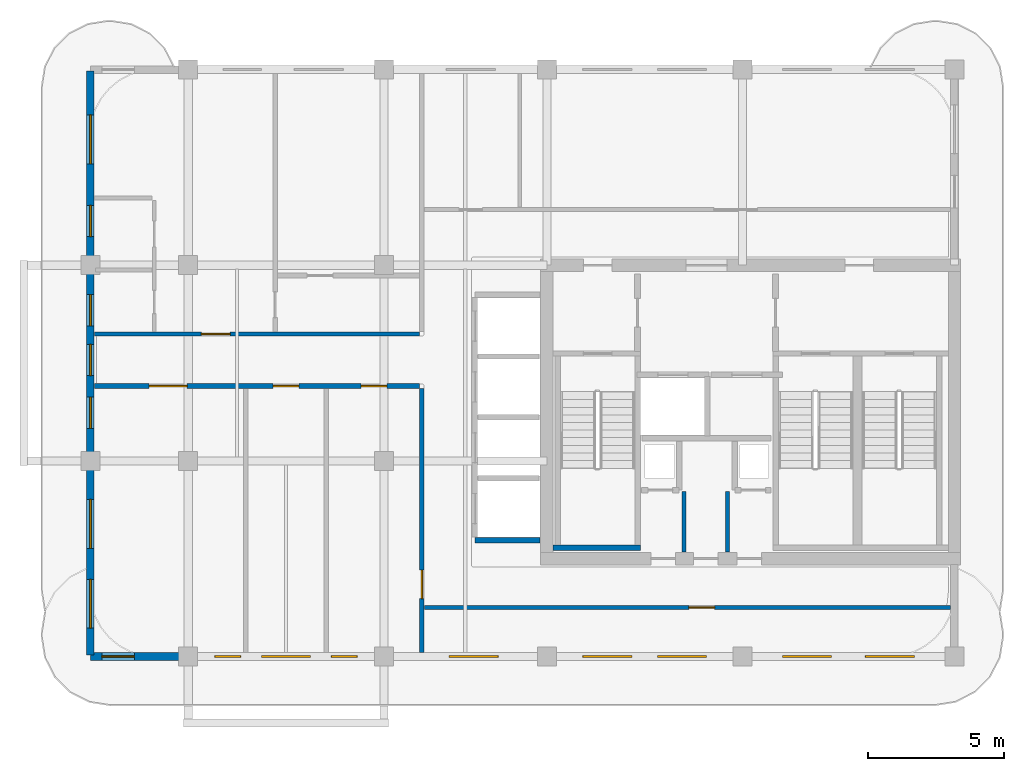
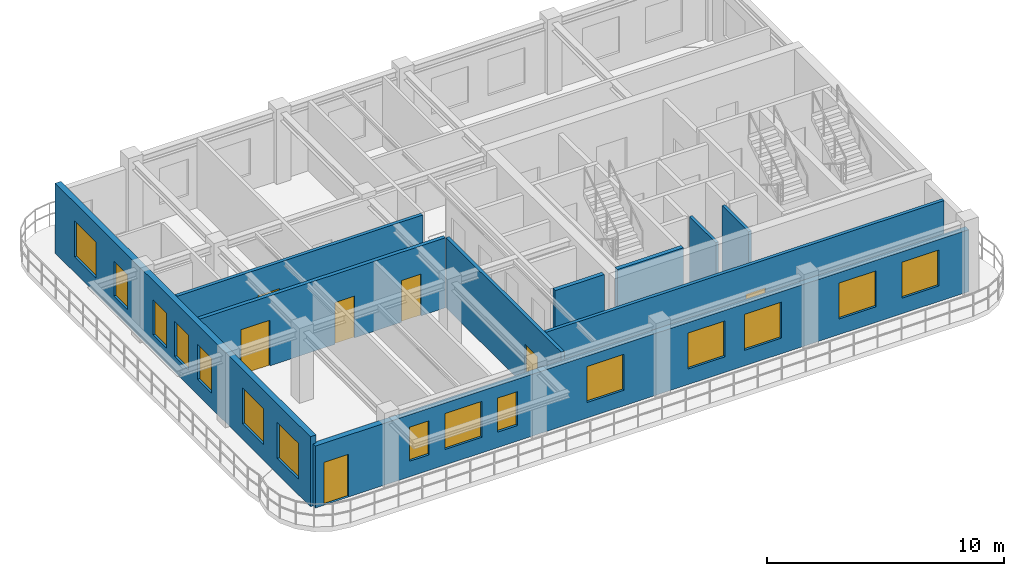
# One storey, part 2 of 7: 15 windows, 10 walls, 7 doors, 22 openings.
"""IFC4 building model written with IfcOpenShell, lengths in metres."""

from ifc_helpers import new_model, si_unit, derived_unit, direction, frame, frame_2d, origin, place, context, subcontext, project, spatial, rectangle, extrude, source, transform, mapped, material, layer, layer_set, type_object, type_shapes, element, fill, save


model = new_model("IFC4")

# Units and contexts
model_context = context("Model", 3, precision=1e-05, world=origin(), true_north=direction((0.0, 1.0)))
body_context = subcontext(model_context, "Body", "Model", "MODEL_VIEW")
ifc_project = project(units=[si_unit("LENGTHUNIT", "METRE"), si_unit("AREAUNIT", "SQUARE_METRE"), si_unit("VOLUMEUNIT", "CUBIC_METRE"), si_unit("PLANEANGLEUNIT", "RADIAN"), si_unit("MASSUNIT", "GRAM", prefix="KILO"), si_unit("THERMODYNAMICTEMPERATUREUNIT", "KELVIN"), si_unit("POWERUNIT", "WATT"), derived_unit("THERMALTRANSMITTANCEUNIT", [(si_unit("POWERUNIT", "WATT"), 1), (si_unit("AREAUNIT", "SQUARE_METRE"), -1), (si_unit("THERMODYNAMICTEMPERATUREUNIT", "KELVIN"), -1)])], contexts=[model_context])

# Site, building, storey
site_placement = place(None, origin())
site = spatial("IfcSite", under=ifc_project, at=site_placement, CompositionType="ELEMENT")
building_placement = place(site_placement, origin())
building = spatial("IfcBuilding", under=site, at=building_placement, Name="Zahravan Archway Hotel and Residences", CompositionType="ELEMENT")
storey_placement = place(building_placement, frame((0.0, 0.0, 282.75)))
storey = spatial("IfcBuildingStorey", under=building, at=storey_placement, Name="L71", CompositionType="ELEMENT", Elevation=282.75)

# Wall, openings, door, windows
ifc_material_1 = material(Name="Honed Red-Ochre Sandstone & Insulated Block", Category="masonry")
ifc_layer_1 = layer(ifc_material_1, 0.280029296875, Name="Honed Red-Ochre Sandstone & Insulated Block", Category="masonry")
ifc_layer_set_1 = layer_set([ifc_layer_1], Name="Honed Red-Ochre Sandstone & Insulated Block")
wall_type_1 = type_object("IfcWallType", Name="EW-LOG-280", PredefinedType="SOLIDWALL", material=ifc_layer_set_1)
wall_1_placement = place(storey_placement, frame((18.0, 0.0, 0.0), z_axis=(0.0, 0.0, 1.0), x_axis=(1.0, 0.0, 0.0)))
wall_1 = element("IfcWall", 1, at=wall_1_placement, inside=storey, type_object=wall_type_1, Name="L71 Exterior Sandstone Wall WA-S", PredefinedType="SOLIDWALL", context=body_context, shape_type="SweptSolid", body=[
    extrude(rectangle(XDim=31.800048828125, YDim=0.280029296875, at=frame_2d((15.89990234375, 0.0))), origin(), (0.0, 0.0, 1.0), 3.18505859375),
])
opening_1_placement = place(wall_1_placement, frame((0.419921875, 0.0, 0.0)))
opening_1 = element("IfcOpeningElement", 2, at=opening_1_placement, cuts=wall_1, Name="Opening ED-BL1", PredefinedType="OPENING", context=body_context, shape_type="SweptSolid", body=[
    extrude(rectangle(XDim=1.199951171875, YDim=2.199951171875, at=frame_2d((0.60009765625, 1.10009765625))), frame((0.0, 0.14990234375, 0.0), z_axis=(0.0, -1.0, 0.0), x_axis=(1.0, 0.0, 0.0)), (0.0, 0.0, 1.0), 0.300048828125),
])
opening_2_placement = place(wall_1_placement, frame((4.5810546875, 0.0, 0.800048828125)))
opening_2 = element("IfcOpeningElement", 3, at=opening_2_placement, cuts=wall_1, Name="Opening W-04", PredefinedType="OPENING", context=body_context, shape_type="SweptSolid", body=[
    extrude(rectangle(XDim=0.949951171875, YDim=1.75, at=frame_2d((0.47509765625, 0.875))), frame((0.0, 0.14990234375, 0.0), z_axis=(0.0, -1.0, 0.0), x_axis=(1.0, 0.0, 0.0)), (0.0, 0.0, 1.0), 0.300048828125),
])
opening_3_placement = place(wall_1_placement, frame((6.300048828125, 0.0, 0.800048828125)))
opening_3 = element("IfcOpeningElement", 4, at=opening_3_placement, cuts=wall_1, Name="Opening W-02", PredefinedType="OPENING", context=body_context, shape_type="SweptSolid", body=[
    extrude(rectangle(XDim=1.800048828125, YDim=1.85009765625, at=frame_2d((0.89990234375, 0.925048828125))), frame((0.0, 0.14990234375, 0.0), z_axis=(0.0, -1.0, 0.0), x_axis=(1.0, 0.0, 0.0)), (0.0, 0.0, 1.0), 0.300048828125),
])
opening_4_placement = place(wall_1_placement, frame((8.868896484375, 0.0, 0.800048828125)))
opening_4 = element("IfcOpeningElement", 5, at=opening_4_placement, cuts=wall_1, Name="Opening W-04", PredefinedType="OPENING", context=body_context, shape_type="SweptSolid", body=[
    extrude(rectangle(XDim=0.949951171875, YDim=1.75, at=frame_2d((0.47509765625, 0.875))), frame((0.0, 0.14990234375, 0.0), z_axis=(0.0, -1.0, 0.0), x_axis=(1.0, 0.0, 0.0)), (0.0, 0.0, 1.0), 0.300048828125),
])
opening_5_placement = place(wall_1_placement, frame((13.2041015625, 0.0, 0.800048828125)))
opening_5 = element("IfcOpeningElement", 6, at=opening_5_placement, cuts=wall_1, Name="Opening W-02", PredefinedType="OPENING", context=body_context, shape_type="SweptSolid", body=[
    extrude(rectangle(XDim=1.800048828125, YDim=1.85009765625, at=frame_2d((0.89990234375, 0.925048828125))), frame((0.0, 0.14990234375, 0.0), z_axis=(0.0, -1.0, 0.0), x_axis=(1.0, 0.0, 0.0)), (0.0, 0.0, 1.0), 0.300048828125),
])
opening_6_placement = place(wall_1_placement, frame((18.125, 0.0, 0.800048828125)))
opening_6 = element("IfcOpeningElement", 7, at=opening_6_placement, cuts=wall_1, Name="Opening W-02", PredefinedType="OPENING", context=body_context, shape_type="SweptSolid", body=[
    extrude(rectangle(XDim=1.800048828125, YDim=1.85009765625, at=frame_2d((0.89990234375, 0.925048828125))), frame((0.0, 0.14990234375, 0.0), z_axis=(0.0, -1.0, 0.0), x_axis=(1.0, 0.0, 0.0)), (0.0, 0.0, 1.0), 0.300048828125),
])
opening_7_placement = place(wall_1_placement, frame((20.875, 0.0, 0.800048828125)))
opening_7 = element("IfcOpeningElement", 8, at=opening_7_placement, cuts=wall_1, Name="Opening W-02", PredefinedType="OPENING", context=body_context, shape_type="SweptSolid", body=[
    extrude(rectangle(XDim=1.800048828125, YDim=1.85009765625, at=frame_2d((0.89990234375, 0.925048828125))), frame((0.0, 0.14990234375, 0.0), z_axis=(0.0, -1.0, 0.0), x_axis=(1.0, 0.0, 0.0)), (0.0, 0.0, 1.0), 0.300048828125),
])
opening_8_placement = place(wall_1_placement, frame((25.47509765625, 0.0, 0.800048828125)))
opening_8 = element("IfcOpeningElement", 9, at=opening_8_placement, cuts=wall_1, Name="Opening W-02", PredefinedType="OPENING", context=body_context, shape_type="SweptSolid", body=[
    extrude(rectangle(XDim=1.800048828125, YDim=1.85009765625, at=frame_2d((0.89990234375, 0.925048828125))), frame((0.0, 0.14990234375, 0.0), z_axis=(0.0, -1.0, 0.0), x_axis=(1.0, 0.0, 0.0)), (0.0, 0.0, 1.0), 0.300048828125),
])
opening_9_placement = place(wall_1_placement, frame((28.52490234375, 0.0, 0.800048828125)))
opening_9 = element("IfcOpeningElement", 10, at=opening_9_placement, cuts=wall_1, Name="Opening W-02", PredefinedType="OPENING", context=body_context, shape_type="SweptSolid", body=[
    extrude(rectangle(XDim=1.800048828125, YDim=1.85009765625, at=frame_2d((0.89990234375, 0.925048828125))), frame((0.0, 0.14990234375, 0.0), z_axis=(0.0, -1.0, 0.0), x_axis=(1.0, 0.0, 0.0)), (0.0, 0.0, 1.0), 0.300048828125),
])
ifc_material_2 = material(Name="Bronze-Anodized Glazed Aluminium", Category="aluminium")
door_type_1 = type_object("IfcDoorType", Name="ED-BALC-1200", OperationType="SLIDING_TO_LEFT", PredefinedType="DOOR", material=ifc_material_2)
shared_shape_1 = source(origin(), body_context, "Body", "SweptSolid", [
    extrude(rectangle(XDim=1.199951171875, YDim=2.199951171875, at=frame_2d((0.60009765625, 1.10009765625))), frame((0.0, 0.02490234375, 0.0), z_axis=(0.0, -1.0, 0.0), x_axis=(1.0, 0.0, 0.0)), (0.0, 0.0, 1.0), 0.050048828125),
])
type_shapes(door_type_1, [shared_shape_1])
door_1_placement = place(opening_1_placement, origin())
door_1 = element("IfcDoor", 11, at=door_1_placement, inside=storey, type_object=door_type_1, Name="L71 Outdoor Access Sliding Door (SLB-BAL-L71-SA)", OperationType="SLIDING_TO_LEFT", OverallHeight=2.199951171875, OverallWidth=1.199951171875, PredefinedType="DOOR", context=body_context, shape_type="MappedRepresentation", body=[
    mapped(shared_shape_1, transform((0.0, 0.0, 0.0), scale=1.0)),
])
fill(opening_1, door_1)
ifc_material_3 = material(Name="Bronze-Anodized Thermal-Break Aluminium & Low-E Glass", Category="aluminium")
window_type_1 = type_object("IfcWindowType", Name="WIN-NAR-950", PartitioningType="SINGLE_PANEL", PredefinedType="WINDOW", material=ifc_material_3)
shared_shape_2 = source(origin(), body_context, "Body", "SweptSolid", [
    extrude(rectangle(XDim=0.949951171875, YDim=1.75, at=frame_2d((0.47509765625, 0.875))), frame((0.0, 0.030029296875, 0.0), z_axis=(0.0, -1.0, 0.0), x_axis=(1.0, 0.0, 0.0)), (0.0, 0.0, 1.0), 0.06005859375),
])
type_shapes(window_type_1, [shared_shape_2])
window_1_placement = place(opening_2_placement, origin())
window_1 = element("IfcWindow", 12, at=window_1_placement, inside=storey, type_object=window_type_1, Name="L71 Loggia Window 01", OverallHeight=1.75, OverallWidth=0.949951171875, PartitioningType="SINGLE_PANEL", PredefinedType="WINDOW", context=body_context, shape_type="MappedRepresentation", body=[
    mapped(shared_shape_2, transform((0.0, 0.0, 0.0), scale=1.0)),
])
fill(opening_2, window_1)
window_2_placement = place(opening_4_placement, origin())
window_2 = element("IfcWindow", 13, at=window_2_placement, inside=storey, type_object=window_type_1, Name="L71 Loggia Window 03", OverallHeight=1.75, OverallWidth=0.949951171875, PartitioningType="SINGLE_PANEL", PredefinedType="WINDOW", context=body_context, shape_type="MappedRepresentation", body=[
    mapped(shared_shape_2, transform((0.0, 0.0, 0.0), scale=1.0)),
])
fill(opening_4, window_2)
window_type_2 = type_object("IfcWindowType", Name="WIN-TWR-1800", PartitioningType="DOUBLE_PANEL_VERTICAL", PredefinedType="WINDOW", material=ifc_material_3)
shared_shape_3 = source(origin(), body_context, "Body", "SweptSolid", [
    extrude(rectangle(XDim=1.800048828125, YDim=1.85009765625, at=frame_2d((0.89990234375, 0.925048828125))), frame((0.0, 0.030029296875, 0.0), z_axis=(0.0, -1.0, 0.0), x_axis=(1.0, 0.0, 0.0)), (0.0, 0.0, 1.0), 0.06005859375),
])
type_shapes(window_type_2, [shared_shape_3])
window_3_placement = place(opening_3_placement, origin())
window_3 = element("IfcWindow", 14, at=window_3_placement, inside=storey, type_object=window_type_2, Name="L71 Loggia Window 02", OverallHeight=1.85009765625, OverallWidth=1.800048828125, PartitioningType="DOUBLE_PANEL_VERTICAL", PredefinedType="WINDOW", context=body_context, shape_type="MappedRepresentation", body=[
    mapped(shared_shape_3, transform((0.0, 0.0, 0.0), scale=1.0)),
])
fill(opening_3, window_3)
window_4_placement = place(opening_5_placement, origin())
window_4 = element("IfcWindow", 15, at=window_4_placement, inside=storey, type_object=window_type_2, Name="L71 Loggia Window 04", OverallHeight=1.85009765625, OverallWidth=1.800048828125, PartitioningType="DOUBLE_PANEL_VERTICAL", PredefinedType="WINDOW", context=body_context, shape_type="MappedRepresentation", body=[
    mapped(shared_shape_3, transform((0.0, 0.0, 0.0), scale=1.0)),
])
fill(opening_5, window_4)
window_5_placement = place(opening_6_placement, origin())
window_5 = element("IfcWindow", 16, at=window_5_placement, inside=storey, type_object=window_type_2, Name="L71 Loggia Window 05", OverallHeight=1.85009765625, OverallWidth=1.800048828125, PartitioningType="DOUBLE_PANEL_VERTICAL", PredefinedType="WINDOW", context=body_context, shape_type="MappedRepresentation", body=[
    mapped(shared_shape_3, transform((0.0, 0.0, 0.0), scale=1.0)),
])
fill(opening_6, window_5)
window_6_placement = place(opening_7_placement, origin())
window_6 = element("IfcWindow", 17, at=window_6_placement, inside=storey, type_object=window_type_2, Name="L71 Loggia Window 06", OverallHeight=1.85009765625, OverallWidth=1.800048828125, PartitioningType="DOUBLE_PANEL_VERTICAL", PredefinedType="WINDOW", context=body_context, shape_type="MappedRepresentation", body=[
    mapped(shared_shape_3, transform((0.0, 0.0, 0.0), scale=1.0)),
])
fill(opening_7, window_6)
window_7_placement = place(opening_8_placement, origin())
window_7 = element("IfcWindow", 18, at=window_7_placement, inside=storey, type_object=window_type_2, Name="L71 Loggia Window 07", OverallHeight=1.85009765625, OverallWidth=1.800048828125, PartitioningType="DOUBLE_PANEL_VERTICAL", PredefinedType="WINDOW", context=body_context, shape_type="MappedRepresentation", body=[
    mapped(shared_shape_3, transform((0.0, 0.0, 0.0), scale=1.0)),
])
fill(opening_8, window_7)
window_8_placement = place(opening_9_placement, origin())
window_8 = element("IfcWindow", 19, at=window_8_placement, inside=storey, type_object=window_type_2, Name="L71 Loggia Window 08", OverallHeight=1.85009765625, OverallWidth=1.800048828125, PartitioningType="DOUBLE_PANEL_VERTICAL", PredefinedType="WINDOW", context=body_context, shape_type="MappedRepresentation", body=[
    mapped(shared_shape_3, transform((0.0, 0.0, 0.0), scale=1.0)),
])
fill(opening_9, window_8)

# Wall, openings, windows
wall_2_placement = place(storey_placement, frame((18.0, 0.050048828125, 0.0), z_axis=(0.0, 0.0, 1.0), x_axis=(0.0, 1.0, 0.0)))
wall_2 = element("IfcWall", 20, at=wall_2_placement, inside=storey, type_object=wall_type_1, Name="L71 Exterior Sandstone Wall WA-W", PredefinedType="SOLIDWALL", context=body_context, shape_type="SweptSolid", body=[
    extrude(rectangle(XDim=21.5, YDim=0.280029296875, at=frame_2d((10.75, 0.0))), origin(), (0.0, 0.0, 1.0), 3.60009765625),
])
opening_10_placement = place(wall_2_placement, frame((0.989990234375, 0.0, 0.800048828125)))
opening_10 = element("IfcOpeningElement", 21, at=opening_10_placement, cuts=wall_2, Name="Opening W-02", PredefinedType="OPENING", context=body_context, shape_type="SweptSolid", body=[
    extrude(rectangle(XDim=1.800048828125, YDim=1.85009765625, at=frame_2d((0.89990234375, 0.925048828125))), frame((0.0, 0.14990234375, 0.0), z_axis=(0.0, -1.0, 0.0), x_axis=(1.0, 0.0, 0.0)), (0.0, 0.0, 1.0), 0.300048828125),
])
opening_11_placement = place(wall_2_placement, frame((3.929931640625, 0.0, 0.800048828125)))
opening_11 = element("IfcOpeningElement", 22, at=opening_11_placement, cuts=wall_2, Name="Opening W-02", PredefinedType="OPENING", context=body_context, shape_type="SweptSolid", body=[
    extrude(rectangle(XDim=1.800048828125, YDim=1.85009765625, at=frame_2d((0.89990234375, 0.925048828125))), frame((0.0, 0.14990234375, 0.0), z_axis=(0.0, -1.0, 0.0), x_axis=(1.0, 0.0, 0.0)), (0.0, 0.0, 1.0), 0.300048828125),
])
opening_12_placement = place(wall_2_placement, frame((8.345947265625, 0.0, 0.800048828125)))
opening_12 = element("IfcOpeningElement", 23, at=opening_12_placement, cuts=wall_2, Name="Opening W-05", PredefinedType="OPENING", context=body_context, shape_type="SweptSolid", body=[
    extrude(rectangle(XDim=1.14990234375, YDim=1.800048828125, at=frame_2d((0.574951171875, 0.89990234375))), frame((0.0, 0.14990234375, 0.0), z_axis=(0.0, -1.0, 0.0), x_axis=(1.0, 0.0, 0.0)), (0.0, 0.0, 1.0), 0.300048828125),
])
opening_13_placement = place(wall_2_placement, frame((10.284912109375, 0.0, 0.800048828125)))
opening_13 = element("IfcOpeningElement", 24, at=opening_13_placement, cuts=wall_2, Name="Opening W-05", PredefinedType="OPENING", context=body_context, shape_type="SweptSolid", body=[
    extrude(rectangle(XDim=1.14990234375, YDim=1.800048828125, at=frame_2d((0.574951171875, 0.89990234375))), frame((0.0, 0.14990234375, 0.0), z_axis=(0.0, -1.0, 0.0), x_axis=(1.0, 0.0, 0.0)), (0.0, 0.0, 1.0), 0.300048828125),
])
opening_14_placement = place(wall_2_placement, frame((12.114013671875, 0.0, 0.800048828125)))
opening_14 = element("IfcOpeningElement", 25, at=opening_14_placement, cuts=wall_2, Name="Opening W-05", PredefinedType="OPENING", context=body_context, shape_type="SweptSolid", body=[
    extrude(rectangle(XDim=1.14990234375, YDim=1.800048828125, at=frame_2d((0.574951171875, 0.89990234375))), frame((0.0, 0.14990234375, 0.0), z_axis=(0.0, -1.0, 0.0), x_axis=(1.0, 0.0, 0.0)), (0.0, 0.0, 1.0), 0.300048828125),
])
opening_15_placement = place(wall_2_placement, frame((15.406005859375, 0.0, 0.800048828125)))
opening_15 = element("IfcOpeningElement", 26, at=opening_15_placement, cuts=wall_2, Name="Opening W-05", PredefinedType="OPENING", context=body_context, shape_type="SweptSolid", body=[
    extrude(rectangle(XDim=1.14990234375, YDim=1.800048828125, at=frame_2d((0.574951171875, 0.89990234375))), frame((0.0, 0.14990234375, 0.0), z_axis=(0.0, -1.0, 0.0), x_axis=(1.0, 0.0, 0.0)), (0.0, 0.0, 1.0), 0.300048828125),
])
opening_16_placement = place(wall_2_placement, frame((18.0791015625, 0.0, 0.800048828125)))
opening_16 = element("IfcOpeningElement", 27, at=opening_16_placement, cuts=wall_2, Name="Opening W-02", PredefinedType="OPENING", context=body_context, shape_type="SweptSolid", body=[
    extrude(rectangle(XDim=1.800048828125, YDim=1.85009765625, at=frame_2d((0.89990234375, 0.925048828125))), frame((0.0, 0.14990234375, 0.0), z_axis=(0.0, -1.0, 0.0), x_axis=(1.0, 0.0, 0.0)), (0.0, 0.0, 1.0), 0.300048828125),
])
window_9_placement = place(opening_10_placement, origin())
window_9 = element("IfcWindow", 28, at=window_9_placement, inside=storey, type_object=window_type_2, Name="L71 Loggia Window 17", OverallHeight=1.85009765625, OverallWidth=1.800048828125, PartitioningType="DOUBLE_PANEL_VERTICAL", PredefinedType="WINDOW", context=body_context, shape_type="MappedRepresentation", body=[
    mapped(shared_shape_3, transform((0.0, 0.0, 0.0), scale=1.0)),
])
fill(opening_10, window_9)
window_10_placement = place(opening_11_placement, origin())
window_10 = element("IfcWindow", 29, at=window_10_placement, inside=storey, type_object=window_type_2, Name="L71 Loggia Window 18", OverallHeight=1.85009765625, OverallWidth=1.800048828125, PartitioningType="DOUBLE_PANEL_VERTICAL", PredefinedType="WINDOW", context=body_context, shape_type="MappedRepresentation", body=[
    mapped(shared_shape_3, transform((0.0, 0.0, 0.0), scale=1.0)),
])
fill(opening_11, window_10)
window_11_placement = place(opening_16_placement, origin())
window_11 = element("IfcWindow", 30, at=window_11_placement, inside=storey, type_object=window_type_2, Name="L71 Loggia Window 23", OverallHeight=1.85009765625, OverallWidth=1.800048828125, PartitioningType="DOUBLE_PANEL_VERTICAL", PredefinedType="WINDOW", context=body_context, shape_type="MappedRepresentation", body=[
    mapped(shared_shape_3, transform((0.0, 0.0, 0.0), scale=1.0)),
])
fill(opening_16, window_11)
window_type_3 = type_object("IfcWindowType", Name="WIN-TWR-1150", PartitioningType="SINGLE_PANEL", PredefinedType="WINDOW", material=ifc_material_3)
shared_shape_4 = source(origin(), body_context, "Body", "SweptSolid", [
    extrude(rectangle(XDim=1.14990234375, YDim=1.800048828125, at=frame_2d((0.574951171875, 0.89990234375))), frame((0.0, 0.030029296875, 0.0), z_axis=(0.0, -1.0, 0.0), x_axis=(1.0, 0.0, 0.0)), (0.0, 0.0, 1.0), 0.06005859375),
])
type_shapes(window_type_3, [shared_shape_4])
window_12_placement = place(opening_12_placement, origin())
window_12 = element("IfcWindow", 31, at=window_12_placement, inside=storey, type_object=window_type_3, Name="L71 Loggia Window 19", OverallHeight=1.800048828125, OverallWidth=1.14990234375, PartitioningType="SINGLE_PANEL", PredefinedType="WINDOW", context=body_context, shape_type="MappedRepresentation", body=[
    mapped(shared_shape_4, transform((0.0, 0.0, 0.0), scale=1.0)),
])
fill(opening_12, window_12)
window_13_placement = place(opening_13_placement, origin())
window_13 = element("IfcWindow", 32, at=window_13_placement, inside=storey, type_object=window_type_3, Name="L71 Loggia Window 20", OverallHeight=1.800048828125, OverallWidth=1.14990234375, PartitioningType="SINGLE_PANEL", PredefinedType="WINDOW", context=body_context, shape_type="MappedRepresentation", body=[
    mapped(shared_shape_4, transform((0.0, 0.0, 0.0), scale=1.0)),
])
fill(opening_13, window_13)
window_14_placement = place(opening_14_placement, origin())
window_14 = element("IfcWindow", 33, at=window_14_placement, inside=storey, type_object=window_type_3, Name="L71 Loggia Window 21", OverallHeight=1.800048828125, OverallWidth=1.14990234375, PartitioningType="SINGLE_PANEL", PredefinedType="WINDOW", context=body_context, shape_type="MappedRepresentation", body=[
    mapped(shared_shape_4, transform((0.0, 0.0, 0.0), scale=1.0)),
])
fill(opening_14, window_14)
window_15_placement = place(opening_15_placement, origin())
window_15 = element("IfcWindow", 34, at=window_15_placement, inside=storey, type_object=window_type_3, Name="L71 Loggia Window 22", OverallHeight=1.800048828125, OverallWidth=1.14990234375, PartitioningType="SINGLE_PANEL", PredefinedType="WINDOW", context=body_context, shape_type="MappedRepresentation", body=[
    mapped(shared_shape_4, transform((0.0, 0.0, 0.0), scale=1.0)),
])
fill(opening_15, window_15)

# Wall, opening, door
ifc_material_4 = material(Name="Fire-Rated Gypsum & Concrete Block", Category="concrete")
ifc_layer_2 = layer(ifc_material_4, 0.159912109375, Name="Fire-Rated Gypsum & Concrete Block", Category="concrete")
ifc_layer_set_2 = layer_set([ifc_layer_2], Name="Fire-Rated Gypsum & Concrete Block")
wall_type_2 = type_object("IfcWallType", Name="PW-CORR-160", PredefinedType="PARTITIONING", material=ifc_layer_set_2)
wall_3_placement = place(storey_placement, frame((18.14794921875, 11.8701171875, 0.0), z_axis=(0.0, 0.0, 1.0), x_axis=(1.0, 0.0, 0.0)))
wall_3 = element("IfcWall", 35, at=wall_3_placement, inside=storey, type_object=wall_type_2, Name="L71 Partition WA-CN", PredefinedType="PARTITIONING", context=body_context, shape_type="SweptSolid", body=[
    extrude(rectangle(XDim=11.962158203125, YDim=0.159912109375, at=frame_2d((5.98095703125, 0.0))), origin(), (0.0, 0.0, 1.0), 3.60009765625),
])
opening_17_placement = place(wall_3_placement, frame((3.94189453125, 0.0, 0.0)))
opening_17 = element("IfcOpeningElement", 36, at=opening_17_placement, cuts=wall_3, Name="Opening D-U1", PredefinedType="OPENING", context=body_context, shape_type="SweptSolid", body=[
    extrude(rectangle(XDim=1.050048828125, YDim=2.25, at=frame_2d((0.52490234375, 1.125))), frame((0.0, 0.08984375, 0.0), z_axis=(0.0, -1.0, 0.0), x_axis=(1.0, 0.0, 0.0)), (0.0, 0.0, 1.0), 0.179931640625),
])
ifc_material_5 = material(Name="Hardwood Veneer Timber", Category="wood")
door_type_2 = type_object("IfcDoorType", Name="ID-UNIT-1050", OperationType="NOTDEFINED", PredefinedType="DOOR", material=ifc_material_5)
shared_shape_5 = source(origin(), body_context, "Body", "SweptSolid", [
    extrude(rectangle(XDim=1.050048828125, YDim=2.25, at=frame_2d((0.52490234375, 1.125))), frame((0.0, 0.02490234375, 0.0), z_axis=(0.0, -1.0, 0.0), x_axis=(1.0, 0.0, 0.0)), (0.0, 0.0, 1.0), 0.050048828125),
])
type_shapes(door_type_2, [shared_shape_5])
door_2_placement = place(opening_17_placement, origin())
door_2 = element("IfcDoor", 37, at=door_2_placement, inside=storey, type_object=door_type_2, Name="L71 Flat N1 Entrance Door", OperationType="SINGLE_SWING_LEFT", OverallHeight=2.25, OverallWidth=1.050048828125, PredefinedType="DOOR", context=body_context, shape_type="MappedRepresentation", body=[
    mapped(shared_shape_5, transform((0.0, 0.0, 0.0), scale=1.0)),
])
fill(opening_17, door_2)

wall_4_placement = place(storey_placement, frame((30.199951171875, 0.14794921875, 0.0), z_axis=(0.0, 0.0, 1.0), x_axis=(0.0, 1.0, 0.0)))
wall_4 = element("IfcWall", 38, at=wall_4_placement, inside=storey, type_object=wall_type_2, Name="L71 Partition WA-SRW", PredefinedType="PARTITIONING", context=body_context, shape_type="SweptSolid", body=[
    extrude(rectangle(XDim=9.712158203125, YDim=0.159912109375, at=frame_2d((4.85595703125, 0.0))), origin(), (0.0, 0.0, 1.0), 3.60009765625),
])
opening_18_placement = place(wall_4_placement, frame((1.97705078125, 0.0, 0.0)))
opening_18 = element("IfcOpeningElement", 39, at=opening_18_placement, cuts=wall_4, Name="Opening FD-L2", PredefinedType="OPENING", context=body_context, shape_type="SweptSolid", body=[
    extrude(rectangle(XDim=1.050048828125, YDim=2.14990234375, at=frame_2d((0.52490234375, 1.074951171875))), frame((0.0, 0.08984375, 0.0), z_axis=(0.0, -1.0, 0.0), x_axis=(1.0, 0.0, 0.0)), (0.0, 0.0, 1.0), 0.179931640625),
])
ifc_material_6 = material(Name="Fire-Rated Painted Steel", Category="steel")
door_type_3 = type_object("IfcDoorType", Name="FD-LOBBY-1100", OperationType="NOTDEFINED", PredefinedType="DOOR", material=ifc_material_6)
shared_shape_6 = source(origin(), body_context, "Body", "SweptSolid", [
    extrude(rectangle(XDim=1.050048828125, YDim=2.14990234375, at=frame_2d((0.52490234375, 1.074951171875))), frame((0.0, 0.02490234375, 0.0), z_axis=(0.0, -1.0, 0.0), x_axis=(1.0, 0.0, 0.0)), (0.0, 0.0, 1.0), 0.050048828125),
])
type_shapes(door_type_3, [shared_shape_6])
door_3_placement = place(opening_18_placement, origin())
door_3 = element("IfcDoor", 40, at=door_3_placement, inside=storey, type_object=door_type_3, Name="L71 South Riser Corridor Door", OperationType="SINGLE_SWING_RIGHT", OverallHeight=2.14990234375, OverallWidth=1.050048828125, PredefinedType="DOOR", context=body_context, shape_type="MappedRepresentation", body=[
    mapped(shared_shape_6, transform((0.0, 0.0, 0.0), scale=1.0)),
])
fill(opening_18, door_3)

wall_5_placement = place(storey_placement, frame((30.2900390625, 1.800048828125, 0.0), z_axis=(0.0, 0.0, 1.0), x_axis=(1.0, 0.0, 0.0)))
wall_5 = element("IfcWall", 41, at=wall_5_placement, inside=storey, type_object=wall_type_2, Name="L71 Partition WA-SRS", PredefinedType="PARTITIONING", context=body_context, shape_type="SweptSolid", body=[
    extrude(rectangle(XDim=19.369873046875, YDim=0.159912109375, at=frame_2d((9.68505859375, 0.0))), origin(), (0.0, 0.0, 1.0), 3.60009765625),
])
opening_19_placement = place(wall_5_placement, frame((9.735107421875, 0.0, 0.0)))
opening_19 = element("IfcOpeningElement", 42, at=opening_19_placement, cuts=wall_5, Name="Opening D-I1", PredefinedType="OPENING", context=body_context, shape_type="SweptSolid", body=[
    extrude(rectangle(XDim=0.949951171875, YDim=2.14990234375, at=frame_2d((0.47509765625, 1.074951171875))), frame((0.0, 0.08984375, 0.0), z_axis=(0.0, -1.0, 0.0), x_axis=(1.0, 0.0, 0.0)), (0.0, 0.0, 1.0), 0.179931640625),
])
door_type_4 = type_object("IfcDoorType", Name="ID-INT-950", OperationType="NOTDEFINED", PredefinedType="DOOR", material=ifc_material_5)
shared_shape_7 = source(origin(), body_context, "Body", "SweptSolid", [
    extrude(rectangle(XDim=0.949951171875, YDim=2.14990234375, at=frame_2d((0.47509765625, 1.074951171875))), frame((0.0, 0.02490234375, 0.0), z_axis=(0.0, -1.0, 0.0), x_axis=(1.0, 0.0, 0.0)), (0.0, 0.0, 1.0), 0.050048828125),
])
type_shapes(door_type_4, [shared_shape_7])
door_4_placement = place(opening_19_placement, origin())
door_4 = element("IfcDoor", 43, at=door_4_placement, inside=storey, type_object=door_type_4, Name="L71 South Viewing Lounge Door", OperationType="SINGLE_SWING_LEFT", OverallHeight=2.14990234375, OverallWidth=0.949951171875, PredefinedType="DOOR", context=body_context, shape_type="MappedRepresentation", body=[
    mapped(shared_shape_7, transform((0.0, 0.0, 0.0), scale=1.0)),
])
fill(opening_19, door_4)

# Wall, openings, doors
ifc_layer_3 = layer(ifc_material_4, 0.179931640625, Name="Fire-Rated Gypsum & Concrete Block", Category="concrete")
ifc_layer_set_3 = layer_set([ifc_layer_3], Name="Fire-Rated Gypsum & Concrete Block")
wall_type_3 = type_object("IfcWallType", Name="PW-CORR-180", PredefinedType="PARTITIONING", material=ifc_layer_set_3)
wall_6_placement = place(storey_placement, frame((18.14794921875, 9.949951171875, 0.0), z_axis=(0.0, 0.0, 1.0), x_axis=(1.0, 0.0, 0.0)))
wall_6 = element("IfcWall", 44, at=wall_6_placement, inside=storey, type_object=wall_type_3, Name="L71 Partition WA-CS", PredefinedType="PARTITIONING", context=body_context, shape_type="SweptSolid", body=[
    extrude(rectangle(XDim=11.962158203125, YDim=0.179931640625, at=frame_2d((5.98095703125, 0.0))), origin(), (0.0, 0.0, 1.0), 3.60009765625),
])
opening_20_placement = place(wall_6_placement, frame((2.011962890625, 0.0, 0.0)))
opening_20 = element("IfcOpeningElement", 45, at=opening_20_placement, cuts=wall_6, Name="Opening D-P1", PredefinedType="OPENING", context=body_context, shape_type="SweptSolid", body=[
    extrude(rectangle(XDim=1.39990234375, YDim=2.35009765625, at=frame_2d((0.699951171875, 1.175048828125))), frame((0.0, 0.10009765625, 0.0), z_axis=(0.0, -1.0, 0.0), x_axis=(1.0, 0.0, 0.0)), (0.0, 0.0, 1.0), 0.199951171875),
])
opening_21_placement = place(wall_6_placement, frame((6.576904296875, 0.0, 0.0)))
opening_21 = element("IfcOpeningElement", 46, at=opening_21_placement, cuts=wall_6, Name="Opening D-I1", PredefinedType="OPENING", context=body_context, shape_type="SweptSolid", body=[
    extrude(rectangle(XDim=0.949951171875, YDim=2.14990234375, at=frame_2d((0.47509765625, 1.074951171875))), frame((0.0, 0.10009765625, 0.0), z_axis=(0.0, -1.0, 0.0), x_axis=(1.0, 0.0, 0.0)), (0.0, 0.0, 1.0), 0.199951171875),
])
opening_22_placement = place(wall_6_placement, frame((9.81689453125, 0.0, 0.0)))
opening_22 = element("IfcOpeningElement", 47, at=opening_22_placement, cuts=wall_6, Name="Opening D-I1", PredefinedType="OPENING", context=body_context, shape_type="SweptSolid", body=[
    extrude(rectangle(XDim=0.949951171875, YDim=2.14990234375, at=frame_2d((0.47509765625, 1.074951171875))), frame((0.0, 0.10009765625, 0.0), z_axis=(0.0, -1.0, 0.0), x_axis=(1.0, 0.0, 0.0)), (0.0, 0.0, 1.0), 0.199951171875),
])
door_type_5 = type_object("IfcDoorType", Name="ID-PUBLIC-1400", OperationType="DOUBLE_DOOR_SINGLE_SWING", PredefinedType="DOOR", material=ifc_material_2)
shared_shape_8 = source(origin(), body_context, "Body", "SweptSolid", [
    extrude(rectangle(XDim=1.39990234375, YDim=2.35009765625, at=frame_2d((0.699951171875, 1.175048828125))), frame((0.0, 0.02490234375, 0.0), z_axis=(0.0, -1.0, 0.0), x_axis=(1.0, 0.0, 0.0)), (0.0, 0.0, 1.0), 0.050048828125),
])
type_shapes(door_type_5, [shared_shape_8])
door_5_placement = place(opening_20_placement, origin())
door_5 = element("IfcDoor", 48, at=door_5_placement, inside=storey, type_object=door_type_5, Name="L71 Cinema Salon Door", OperationType="DOUBLE_DOOR_SINGLE_SWING", OverallHeight=2.35009765625, OverallWidth=1.39990234375, PredefinedType="DOOR", context=body_context, shape_type="MappedRepresentation", body=[
    mapped(shared_shape_8, transform((0.0, 0.0, 0.0), scale=1.0)),
])
fill(opening_20, door_5)
door_6_placement = place(opening_21_placement, origin())
door_6 = element("IfcDoor", 49, at=door_6_placement, inside=storey, type_object=door_type_4, Name="L71 Boardroom Door", OperationType="SINGLE_SWING_LEFT", OverallHeight=2.14990234375, OverallWidth=0.949951171875, PredefinedType="DOOR", context=body_context, shape_type="MappedRepresentation", body=[
    mapped(shared_shape_7, transform((0.0, 0.0, 0.0), scale=1.0)),
])
fill(opening_21, door_6)
door_7_placement = place(opening_22_placement, origin())
door_7 = element("IfcDoor", 50, at=door_7_placement, inside=storey, type_object=door_type_4, Name="L71 Study Office Door", OperationType="SINGLE_SWING_RIGHT", OverallHeight=2.14990234375, OverallWidth=0.949951171875, PredefinedType="DOOR", context=body_context, shape_type="MappedRepresentation", body=[
    mapped(shared_shape_7, transform((0.0, 0.0, 0.0), scale=1.0)),
])
fill(opening_22, door_7)

# Walls
ifc_layer_4 = layer(ifc_material_4, 0.199951171875, Name="Fire-Rated Gypsum & Concrete Block", Category="concrete")
ifc_layer_set_4 = layer_set([ifc_layer_4], Name="Fire-Rated Gypsum & Concrete Block")
wall_type_4 = type_object("IfcWallType", Name="PW-SHAFT-200", PredefinedType="PARTITIONING", material=ifc_layer_set_4)
wall_7_placement = place(storey_placement, frame((32.159912109375, 4.280029296875, 0.0), z_axis=(0.0, 0.0, 1.0), x_axis=(1.0, 0.0, 0.0)))
element("IfcWall", 51, at=wall_7_placement, inside=storey, type_object=wall_type_4, Name="L71 Partition B3-S", PredefinedType="PARTITIONING", context=body_context, shape_type="SweptSolid", body=[
    extrude(rectangle(XDim=2.385009765625, YDim=0.199951171875, at=frame_2d((1.1923828125, 0.0))), origin(), (0.0, 0.0, 1.0), 3.60009765625),
])
ifc_material_7 = material(Name="Moisture-Resistant Blockwork", Category="masonry")
ifc_layer_5 = layer(ifc_material_7, 0.139892578125, Name="Moisture-Resistant Blockwork", Category="masonry")
ifc_layer_set_5 = layer_set([ifc_layer_5], Name="Moisture-Resistant Blockwork")
wall_type_5 = type_object("IfcWallType", Name="PW-WET-140", PredefinedType="PARTITIONING", material=ifc_layer_set_5)
for number, where, z_axis, x_axis, name in (
    (52, (39.85009765625, 3.844970703125, 0.0), (0.0, 0.0, 1.0), (0.0, 1.0, 0.0), "L71 Partition CA-CV1A"),
    (53, (41.449951171875, 3.844970703125, 0.0), (0.0, 0.0, 1.0), (0.0, 1.0, 0.0), "L71 Partition CA-CV1B"),
):
    element("IfcWall", number, at=place(storey_placement, frame(where, z_axis=z_axis, x_axis=x_axis)), inside=storey, type_object=wall_type_5, Name=name, PredefinedType="PARTITIONING", context=body_context, shape_type="SweptSolid", body=[
        extrude(rectangle(XDim=2.235107421875, YDim=0.139892578125, at=frame_2d((1.11767578125, 0.0))), origin(), (0.0, 0.0, 1.0), 3.60009765625),
    ])
ifc_material_8 = material(Name="Concrete C50/60", Category="concrete")
ifc_layer_6 = layer(ifc_material_8, 0.199951171875, Name="Concrete C50/60", Category="concrete")
ifc_layer_set_6 = layer_set([ifc_layer_6], Name="Concrete C50/60")
wall_type_6 = type_object("IfcWallType", Name="SW-STAIR-200", PredefinedType="SHEAR", material=ifc_layer_set_6)
wall_8_placement = place(storey_placement, frame((35.02490234375, 4.0, 0.0), z_axis=(0.0, 0.0, 1.0), x_axis=(1.0, 0.0, 0.0)))
element("IfcWall", 54, at=wall_8_placement, inside=storey, type_object=wall_type_6, Name="L71 Stairwell RC Wall CA-SA1S", PredefinedType="SHEAR", context=body_context, shape_type="SweptSolid", body=[
    extrude(rectangle(XDim=3.215087890625, YDim=0.199951171875, at=frame_2d((1.607421875, 0.0))), origin(), (0.0, 0.0, 1.0), 3.85009765625),
])

save(model, "model.ifc")
